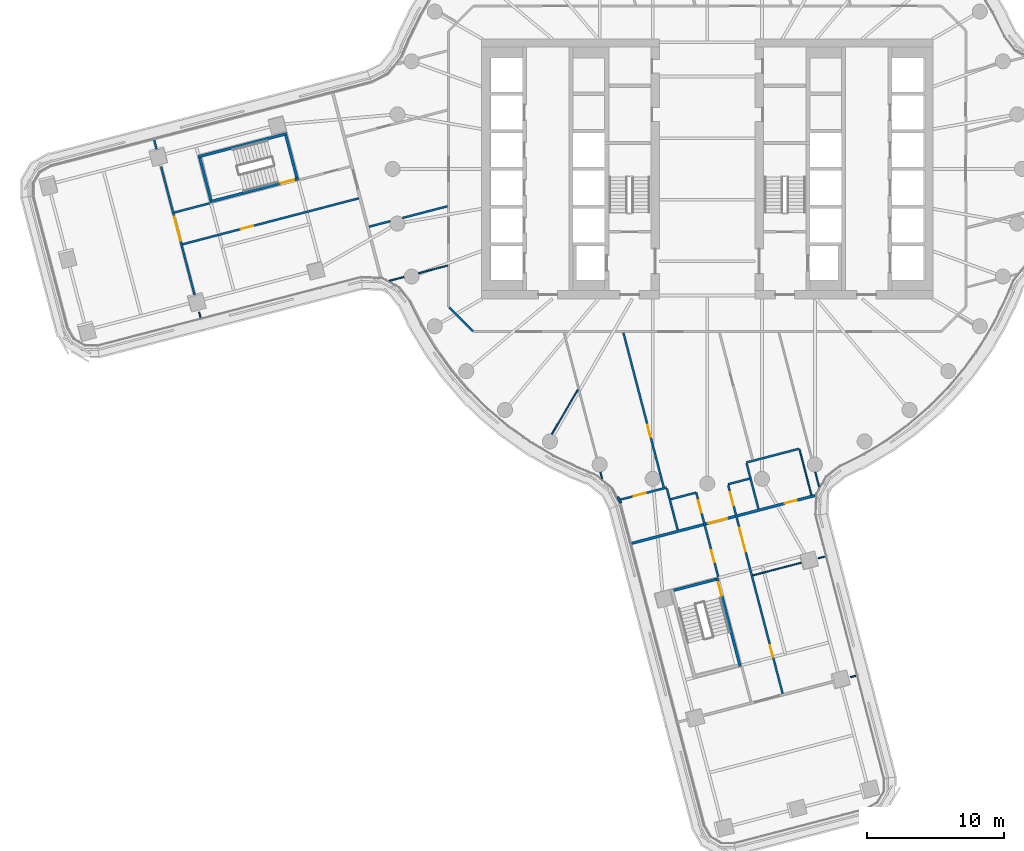
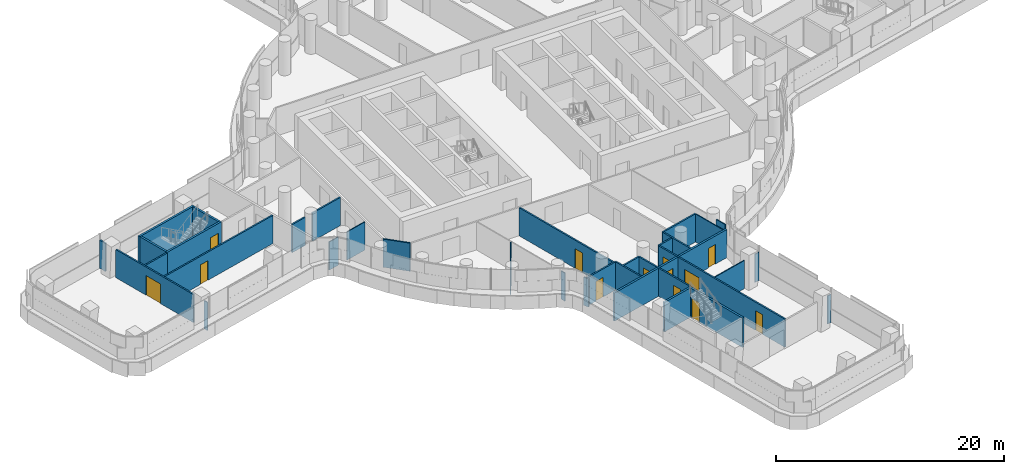
# One storey, part 18 of 30: 34 walls, 13 doors, 13 openings.
"""IFC4 building model written with IfcOpenShell, lengths in metres."""

import ifcopenshell
import ifcopenshell.guid

model = None  # the IFC model being written
_history = None  # IfcOwnerHistory: only IFC2X3 demands one
_inside = {}  # id of a spatial element -> (the spatial element, [elements in it])
_under = {}  # id of a project, library or spatial element -> (it, [spatial elements below it])
_declared = {}  # id of a project -> (the project, [libraries it declares])
_typed = {}  # id of a type object -> (the type object, [elements of that type])
_made_of = {}  # id of a material, layer set ... -> (it, [elements and type objects made of it])


def new_model(schema):
    """Start an empty IFC model of exactly this schema.

    Asked for "IFC4X3", IfcOpenShell would pick the latest addendum, in which some entities
    have other attributes; the version numbers below select the first issue.
    IFC2X3 requires an IfcOwnerHistory on every rooted entity: one is made here for all.
    """
    global model, _history
    if schema == "IFC4X3":
        model = ifcopenshell.file(schema_version=(4, 3, 0, 0))
    else:
        model = ifcopenshell.file(schema=schema)
    _inside.clear()
    _under.clear()
    _declared.clear()
    _typed.clear()
    _made_of.clear()
    _history = None
    if model.schema == "IFC2X3":
        org = make("IfcOrganization", Name="unknown")
        user = make(
            "IfcPersonAndOrganization",
            ThePerson=make("IfcPerson", FamilyName="unknown"),
            TheOrganization=org,
        )
        app = make(
            "IfcApplication",
            ApplicationDeveloper=org,
            Version="unknown",
            ApplicationFullName="unknown",
            ApplicationIdentifier="unknown",
        )
        _history = make(
            "IfcOwnerHistory",
            OwningUser=user,
            OwningApplication=app,
            ChangeAction="ADDED",
            CreationDate=0,
        )
    return model


def make(cls, **values):
    """One entity of the class cls with the attributes given. An attribute that is None is left unset."""
    return model.create_entity(
        cls, **{name: value for name, value in values.items() if value is not None}
    )


def rooted(cls, **values):
    """An entity with a GlobalId (a new one), such as an element, a storey or a relation."""
    return make(cls, GlobalId=ifcopenshell.guid.new(), OwnerHistory=_history, **values)


def si_unit(unit_type, name, prefix=None):
    """IfcSIUnit, for example si_unit("LENGTHUNIT", "METRE", prefix="MILLI")."""
    return make("IfcSIUnit", UnitType=unit_type, Prefix=prefix, Name=name)


def assignment(units):
    """IfcUnitAssignment: the units of a project."""
    return None if units is None else make("IfcUnitAssignment", Units=units)


def point(xyz):
    """IfcCartesianPoint."""
    return None if xyz is None else make("IfcCartesianPoint", Coordinates=xyz)


def direction(xyz):
    """IfcDirection."""
    return None if xyz is None else make("IfcDirection", DirectionRatios=xyz)


def frame(location, z_axis=None, x_axis=None):
    """IfcAxis2Placement3D, a coordinate frame: its origin and axes. An axis left out is left unset."""
    return make(
        "IfcAxis2Placement3D",
        Location=point(location),
        Axis=direction(z_axis),
        RefDirection=direction(x_axis),
    )


def frame_2d(location, x_axis=None):
    """IfcAxis2Placement2D, a coordinate frame in the plane: its origin and x axis."""
    return make(
        "IfcAxis2Placement2D", Location=point(location), RefDirection=direction(x_axis)
    )


def origin():
    """The frame at (0, 0, 0) with its axes left unset."""
    return frame((0.0, 0.0, 0.0))


def place(relative_to, where):
    """IfcLocalPlacement: puts the frame where relative to a parent placement (None: the world)."""
    return make(
        "IfcLocalPlacement", PlacementRelTo=relative_to, RelativePlacement=where
    )


def context(
    kind, dimensions, precision=None, world=None, true_north=None, identifier=None
):
    """IfcGeometricRepresentationContext, for example the 3D "Model" context."""
    return make(
        "IfcGeometricRepresentationContext",
        ContextIdentifier=identifier,
        ContextType=kind,
        CoordinateSpaceDimension=dimensions,
        Precision=precision,
        WorldCoordinateSystem=world,
        TrueNorth=true_north,
    )


def subcontext(parent, identifier, kind, view, scale=None):
    """IfcGeometricRepresentationSubContext, for example "Body" below "Model"."""
    return make(
        "IfcGeometricRepresentationSubContext",
        ContextIdentifier=identifier,
        ContextType=kind,
        ParentContext=parent,
        TargetScale=scale,
        TargetView=view,
    )


def project(units=None, contexts=None):
    """IfcProject with its units and contexts."""
    return rooted(
        "IfcProject",
        Name="project",
        RepresentationContexts=contexts,
        UnitsInContext=assignment(units),
    )


def spatial(cls, under=None, at=None, **own):
    """A site, building, storey or space (cls), placed at a placement, below another one or the project."""
    s = rooted(cls, ObjectPlacement=at, **own)
    if under is not None:
        _under.setdefault(under.id(), (under, []))[1].append(s)
    return s


def polyline(points):
    """IfcPolyline through the points."""
    return make("IfcPolyline", Points=[point(p) for p in points])


def profile(cls, at=None, kind="AREA", **sizes):
    """A parametric profile (cls). Its sizes go by their IFC names, for example OverallWidth=200.0."""
    return make(cls, ProfileType=kind, Position=at, **sizes)


def rectangle(**sizes):
    """IfcRectangleProfileDef."""
    return profile("IfcRectangleProfileDef", **sizes)


def outline(outer, holes=None, kind="AREA"):
    """IfcArbitraryClosedProfileDef: a profile drawn as a closed curve; with holes, ...WithVoids."""
    if holes is None:
        return make("IfcArbitraryClosedProfileDef", ProfileType=kind, OuterCurve=outer)
    return make(
        "IfcArbitraryProfileDefWithVoids",
        ProfileType=kind,
        OuterCurve=outer,
        InnerCurves=holes,
    )


def extrude(swept, where, along, depth):
    """IfcExtrudedAreaSolid: the profile swept, set in the frame where, extruded along a direction by depth."""
    return make(
        "IfcExtrudedAreaSolid",
        SweptArea=swept,
        Position=where,
        ExtrudedDirection=direction(along),
        Depth=depth,
    )


def shape(context_of_items, identifier, shape_type, items):
    """IfcShapeRepresentation: the items that make up one representation, for example the "Body"."""
    return make(
        "IfcShapeRepresentation",
        ContextOfItems=context_of_items,
        RepresentationIdentifier=identifier,
        RepresentationType=shape_type,
        Items=items,
    )


def material(Name=None, Category=None):
    """IfcMaterial."""
    return make("IfcMaterial", Name=Name, Category=Category)


def layer(
    of_material, thickness, ventilated=None, Name=None, Category=None, Priority=None
):
    """IfcMaterialLayer: one layer of a wall or slab, of a material (None: an air gap)."""
    return make(
        "IfcMaterialLayer",
        Material=of_material,
        LayerThickness=thickness,
        IsVentilated=ventilated,
        Name=Name,
        Category=Category,
        Priority=Priority,
    )


def layer_set(layers, Name=None):
    """IfcMaterialLayerSet."""
    return make("IfcMaterialLayerSet", MaterialLayers=layers, LayerSetName=Name)


def made_of(thing, what):
    """Note that an element or type object is made of a material, layer set ...; save() writes the relation."""
    if what is not None:
        _made_of.setdefault(what.id(), (what, []))[1].append(thing)
    return thing


def type_object(cls, material=None, **own):
    """A type object (cls), such as IfcWallType, which elements share."""
    return made_of(rooted(cls, **own), material)


def element(
    cls,
    number,
    at=None,
    inside=None,
    cuts=None,
    type_object=None,
    material=None,
    context=None,
    identifier="Body",
    shape_type=None,
    held_by="IfcProductDefinitionShape",
    body=None,
    shapes=None,
    **own,
):
    """One element of the class cls, such as IfcWall. Its Tag is "e" and its number.

    at: its placement. inside: the storey or other place that contains it. cuts: it is an
    opening in that element (IfcRelVoidsElement). A single representation is given by context,
    identifier, shape_type and body (its items); several are given by shapes. held_by: the class
    of the entity that holds the representations. save() writes the other relations.
    """
    e = rooted(cls, Tag="e%d" % number, ObjectPlacement=at, **own)
    if body is not None:
        shapes = [shape(context, identifier, shape_type, body)]
    if shapes is not None:
        e.Representation = make(held_by, Representations=shapes)
    if inside is not None:
        _inside.setdefault(inside.id(), (inside, []))[1].append(e)
    if cuts is not None:
        rooted(
            "IfcRelVoidsElement", RelatingBuildingElement=cuts, RelatedOpeningElement=e
        )
    if type_object is not None:
        _typed.setdefault(type_object.id(), (type_object, []))[1].append(e)
    return made_of(e, material)


def fill(opening, filler):
    """IfcRelFillsElement: the door or window that sits in an opening."""
    return rooted(
        "IfcRelFillsElement",
        RelatingOpeningElement=opening,
        RelatedBuildingElement=filler,
    )


def aggregate(whole, parts):
    """IfcRelAggregates: a whole, such as a stair, and the parts it consists of."""
    return rooted("IfcRelAggregates", RelatingObject=whole, RelatedObjects=parts)


def save(model, path):
    """Write the relations noted so far, then the file.

    IfcRelAggregates (storeys below a building ...), IfcRelContainedInSpatialStructure (elements
    in a storey), IfcRelDefinesByType, IfcRelAssociatesMaterial and IfcRelDeclares: one each for
    every whole, place, type object, material and project.
    """
    for whole, parts in _under.values():
        aggregate(whole, parts)
    for where, things in _inside.values():
        rooted(
            "IfcRelContainedInSpatialStructure",
            RelatedElements=things,
            RelatingStructure=where,
        )
    for kind, things in _typed.values():
        rooted("IfcRelDefinesByType", RelatedObjects=things, RelatingType=kind)
    for what, things in _made_of.values():
        rooted("IfcRelAssociatesMaterial", RelatedObjects=things, RelatingMaterial=what)
    for by, libraries in _declared.values():
        rooted("IfcRelDeclares", RelatingContext=by, RelatedDefinitions=libraries)
    model.write(path)


model = new_model("IFC4")

# Units and contexts
model_context = context("Model", 3, precision=1e-05, world=origin(), true_north=direction((0.0, 1.0)))
body_context = subcontext(model_context, "Body", "Model", "MODEL_VIEW")
ifc_project = project(units=[si_unit("LENGTHUNIT", "METRE"), si_unit("AREAUNIT", "SQUARE_METRE"), si_unit("VOLUMEUNIT", "CUBIC_METRE"), si_unit("PLANEANGLEUNIT", "RADIAN"), si_unit("MASSUNIT", "GRAM", prefix="KILO")], contexts=[model_context])

# Site, building, storey
site_placement = place(None, origin())
site = spatial("IfcSite", under=ifc_project, at=site_placement, CompositionType="ELEMENT")
building_placement = place(site_placement, origin())
building = spatial("IfcBuilding", under=site, at=building_placement, Name="Tamarind Cross Interchange Tower", CompositionType="ELEMENT")
storey_placement = place(building_placement, frame((0.0, 0.0, 87.25)))
storey = spatial("IfcBuildingStorey", under=building, at=storey_placement, Name="L20", CompositionType="ELEMENT", Elevation=87.25)

# Walls
ifc_material_1 = material(Name="Gypsum board partition on steel studs", Category="steel")
ifc_layer_1 = layer(ifc_material_1, 0.10009765625)
ifc_layer_set_1 = layer_set([ifc_layer_1], Name="Gypsum board partition on steel studs")
wall_type_1 = type_object("IfcWallType", Name="Partition 100 mm EI 90", PredefinedType="PARTITIONING", material=ifc_layer_set_1)
wall_1_placement = place(storey_placement, frame((-37.147216796875, -10.46923828125, 0.0), z_axis=(0.0, 0.0, 1.0), x_axis=(0.25232360321, -0.967642908961, 0.0)))
element("IfcWall", 1, at=wall_1_placement, inside=storey, type_object=wall_type_1, Name="Partition L20-003", PredefinedType="PARTITIONING", context=body_context, shape_type="SweptSolid", body=[
    extrude(rectangle(XDim=0.404541015625, YDim=0.10009765625, at=frame_2d((0.2021484375, 0.0))), origin(), (0.0, 0.0, 1.0), 3.010009765625),
])
wall_2_placement = place(storey_placement, frame((-7.81201171875, -22.158447265625, 0.0), z_axis=(0.0, 0.0, 1.0), x_axis=(0.252461886074, -0.96760683962, 0.0)))
element("IfcWall", 2, at=wall_2_placement, inside=storey, type_object=wall_type_1, Name="Partition L20-006", PredefinedType="PARTITIONING", context=body_context, shape_type="SweptSolid", body=[
    extrude(rectangle(XDim=0.4970703125, YDim=0.10009765625, at=frame_2d((0.24853515625, 0.0))), origin(), (0.0, 0.0, 1.0), 3.010009765625),
])
wall_3_placement = place(storey_placement, frame((7.897216796875, -22.164794921875, 0.0), z_axis=(0.0, 0.0, 1.0), x_axis=(0.25264882797, -0.967558044628, 0.0)))
element("IfcWall", 3, at=wall_3_placement, inside=storey, type_object=wall_type_1, Name="Partition L20-023", PredefinedType="PARTITIONING", context=body_context, shape_type="SweptSolid", body=[
    extrude(rectangle(XDim=1.0947265625, YDim=0.10009765625, at=frame_2d((0.54736328125, 0.0))), origin(), (0.0, 0.0, 1.0), 3.010009765625),
])
wall_4_placement = place(storey_placement, frame((6.74462890625, -20.518798828125, 0.0), z_axis=(0.0, 0.0, 1.0), x_axis=(0.252505936533, -0.967595345181, 0.0)))
element("IfcWall", 4, at=wall_4_placement, inside=storey, type_object=wall_type_1, Name="Partition L20-024", PredefinedType="PARTITIONING", context=body_context, shape_type="SweptSolid", body=[
    extrude(rectangle(XDim=3.429443359375, YDim=0.10009765625, at=frame_2d((1.71484375, 0.0))), origin(), (0.0, 0.0, 1.0), 3.010009765625),
])
wall_5_placement = place(storey_placement, frame((-23.22412109375, -8.173828125, 0.0), z_axis=(0.0, 0.0, 1.0), x_axis=(0.967626742391, 0.252385592716, 0.0)))
element("IfcWall", 5, at=wall_5_placement, inside=storey, type_object=wall_type_1, Name="Partition L20-043", PredefinedType="PARTITIONING", context=body_context, shape_type="SweptSolid", body=[
    extrude(rectangle(XDim=1.094970703125, YDim=0.10009765625, at=frame_2d((0.54736328125, 0.0))), origin(), (0.0, 0.0, 1.0), 3.010009765625),
])
wall_6_placement = place(storey_placement, frame((-21.117919921875, -7.62451171875, 0.0), z_axis=(0.0, 0.0, 1.0), x_axis=(0.967630105584, 0.252372698141, 0.0)))
element("IfcWall", 6, at=wall_6_placement, inside=storey, type_object=wall_type_1, Name="Partition L20-044", PredefinedType="PARTITIONING", context=body_context, shape_type="SweptSolid", body=[
    extrude(rectangle(XDim=2.22216796875, YDim=0.10009765625, at=frame_2d((1.111083984375, 0.0))), origin(), (0.0, 0.0, 1.0), 3.010009765625),
])
wall_7_placement = place(storey_placement, frame((10.46923828125, -37.147216796875, 0.0), z_axis=(0.0, 0.0, 1.0), x_axis=(0.967642908961, 0.25232360321, 0.0)))
element("IfcWall", 7, at=wall_7_placement, inside=storey, type_object=wall_type_1, Name="Partition L20-063", PredefinedType="PARTITIONING", context=body_context, shape_type="SweptSolid", body=[
    extrude(rectangle(XDim=0.404541015625, YDim=0.10009765625, at=frame_2d((0.2021484375, 0.0))), origin(), (0.0, 0.0, 1.0), 3.010009765625),
])
wall_8_placement = place(storey_placement, frame((3.33447265625, -29.707763671875, 0.0), z_axis=(0.0, 0.0, 1.0), x_axis=(0.967603769399, 0.25247365297, 0.0)))
element("IfcWall", 8, at=wall_8_placement, inside=storey, type_object=wall_type_1, Name="Partition L20-065", PredefinedType="PARTITIONING", context=body_context, shape_type="SweptSolid", body=[
    extrude(rectangle(XDim=3.6484375, YDim=0.10009765625, at=frame_2d((1.82421875, 0.0))), origin(), (0.0, 0.0, 1.0), 3.010009765625),
])
wall_9_placement = place(storey_placement, frame((8.1171875, -28.4599609375, 0.0), z_axis=(0.0, 0.0, 1.0), x_axis=(0.967612066757, 0.252441851256, 0.0)))
element("IfcWall", 9, at=wall_9_placement, inside=storey, type_object=wall_type_1, Name="Partition L20-066", PredefinedType="PARTITIONING", context=body_context, shape_type="SweptSolid", body=[
    extrude(rectangle(XDim=0.498046875, YDim=0.10009765625, at=frame_2d((0.2490234375, 0.0))), origin(), (0.0, 0.0, 1.0), 3.010009765625),
])
wall_10_placement = place(storey_placement, frame((-11.366455078125, -19.394287109375, 0.0), z_axis=(0.0, 0.0, 1.0), x_axis=(0.505643154542, 0.862742719624, 0.0)))
element("IfcWall", 10, at=wall_10_placement, inside=storey, type_object=wall_type_1, Name="Partition L20-079", PredefinedType="PARTITIONING", context=body_context, shape_type="SweptSolid", body=[
    extrude(rectangle(XDim=3.775146484375, YDim=0.10009765625, at=frame_2d((1.8876953125, 0.0))), origin(), (0.0, 0.0, 1.0), 3.010009765625),
])
ifc_layer_2 = layer(ifc_material_1, 0.14990234375)
ifc_layer_set_2 = layer_set([ifc_layer_2], Name="Gypsum board partition on steel studs")
wall_type_2 = type_object("IfcWallType", Name="Partition 150 mm EI 120", PredefinedType="PARTITIONING", material=ifc_layer_set_2)
wall_11_placement = place(storey_placement, frame((-40.430908203125, 2.11328125, 0.0), z_axis=(0.0, 0.0, 1.0), x_axis=(0.25247790687, -0.967602659433, 0.0)))
element("IfcWall", 11, at=wall_11_placement, inside=storey, type_object=wall_type_2, Name="Partition L20-001", PredefinedType="PARTITIONING", context=body_context, shape_type="SweptSolid", body=[
    extrude(rectangle(XDim=0.709716796875, YDim=0.14990234375, at=frame_2d((0.35498046875, 0.0))), origin(), (0.0, 0.0, 1.0), 3.010009765625),
])

# Wall, opening, door
wall_12_placement = place(storey_placement, frame((-39.9248046875, 0.174072265625, 0.0), z_axis=(0.0, 0.0, 1.0), x_axis=(0.252507913582, -0.967594829243, 0.0)))
wall_12 = element("IfcWall", 12, at=wall_12_placement, inside=storey, type_object=wall_type_2, Name="Partition L20-002", PredefinedType="PARTITIONING", context=body_context, shape_type="SweptSolid", body=[
    extrude(rectangle(XDim=9.705322265625, YDim=0.14990234375, at=frame_2d((4.8525390625, 0.0))), origin(), (0.0, 0.0, 1.0), 3.010009765625),
])
opening_1_placement = place(wall_12_placement, frame((3.79541015625, 0.0, 0.0)))
opening_1 = element("IfcOpeningElement", 13, at=opening_1_placement, cuts=wall_12, Name="Opening D01", PredefinedType="OPENING", context=body_context, shape_type="SweptSolid", body=[
    extrude(rectangle(XDim=1.800048828125, YDim=2.10009765625, at=frame_2d((0.89990234375, 1.050048828125))), frame((0.0, 0.0849609375, 0.0), z_axis=(0.0, -1.0, 0.0), x_axis=(1.0, 0.0, 0.0)), (0.0, 0.0, 1.0), 0.169921875),
])
ifc_material_2 = material(Name="Fire-resisting door set")
door_type_1 = type_object("IfcDoorType", Name="Interior door 1800 x 2100 FD60S", OperationType="DOUBLE_DOOR_SINGLE_SWING", PredefinedType="DOOR", material=ifc_material_2)
door_1_placement = place(opening_1_placement, origin())
door_1 = element("IfcDoor", 14, at=door_1_placement, inside=storey, type_object=door_type_1, Name="Door D01", OperationType="DOUBLE_DOOR_SINGLE_SWING", OverallHeight=2.10009765625, OverallWidth=1.800048828125, PredefinedType="DOOR", context=body_context, shape_type="SweptSolid", body=[
    extrude(rectangle(XDim=1.800048828125, YDim=2.10009765625, at=frame_2d((0.89990234375, 1.050048828125))), frame((0.0, 0.02490234375, 0.0), z_axis=(0.0, -1.0, 0.0), x_axis=(1.0, 0.0, 0.0)), (0.0, 0.0, 1.0), 0.050048828125),
])
fill(opening_1, door_1)

wall_13_placement = place(storey_placement, frame((-6.1298828125, -11.977294921875, 0.0), z_axis=(0.0, 0.0, 1.0), x_axis=(0.252503677733, -0.96759593464, 0.0)))
wall_13 = element("IfcWall", 15, at=wall_13_placement, inside=storey, type_object=wall_type_2, Name="Partition L20-010", PredefinedType="PARTITIONING", context=body_context, shape_type="SweptSolid", body=[
    extrude(rectangle(XDim=11.666259765625, YDim=0.14990234375, at=frame_2d((5.8330078125, 0.0))), origin(), (0.0, 0.0, 1.0), 3.010009765625),
])
opening_2_placement = place(wall_13_placement, frame((6.969970703125, 0.0, 0.0)))
opening_2 = element("IfcOpeningElement", 16, at=opening_2_placement, cuts=wall_13, Name="Opening D07", PredefinedType="OPENING", context=body_context, shape_type="SweptSolid", body=[
    extrude(rectangle(XDim=0.89990234375, YDim=2.10009765625, at=frame_2d((0.449951171875, 1.050048828125))), frame((0.0, 0.0849609375, 0.0), z_axis=(0.0, -1.0, 0.0), x_axis=(1.0, 0.0, 0.0)), (0.0, 0.0, 1.0), 0.169921875),
])
door_type_2 = type_object("IfcDoorType", Name="Interior door 900 x 2100 FD60S", OperationType="SINGLE_SWING_LEFT", PredefinedType="DOOR", material=ifc_material_2)
door_2_placement = place(opening_2_placement, frame((0.89990234375, 0.0, 0.0), z_axis=(0.0, 0.0, 1.0), x_axis=(-1.0, 0.0, 0.0)))
door_2 = element("IfcDoor", 17, at=door_2_placement, inside=storey, type_object=door_type_2, Name="Door D07", OperationType="SINGLE_SWING_RIGHT", OverallHeight=2.10009765625, OverallWidth=0.89990234375, PredefinedType="DOOR", context=body_context, shape_type="SweptSolid", body=[
    extrude(rectangle(XDim=0.89990234375, YDim=2.10009765625, at=frame_2d((0.449951171875, 1.050048828125))), frame((0.0, 0.02490234375, 0.0), z_axis=(0.0, -1.0, 0.0), x_axis=(1.0, 0.0, 0.0)), (0.0, 0.0, 1.0), 0.050048828125),
])
fill(opening_2, door_2)

# Wall
wall_14_placement = place(storey_placement, frame((-2.951171875, -23.364501953125, 0.0), z_axis=(0.0, 0.0, 1.0), x_axis=(0.25250458578, -0.967595697675, 0.0)))
element("IfcWall", 18, at=wall_14_placement, inside=storey, type_object=wall_type_2, Name="Partition L20-015", PredefinedType="PARTITIONING", context=body_context, shape_type="SweptSolid", body=[
    extrude(rectangle(XDim=3.125, YDim=0.14990234375, at=frame_2d((1.5625, 0.0))), origin(), (0.0, 0.0, 1.0), 3.010009765625),
])

# Wall, openings, doors
wall_15_placement = place(storey_placement, frame((-0.802978515625, -23.67724609375, 0.0), z_axis=(0.0, 0.0, 1.0), x_axis=(0.252923495417, -0.967486281797, 0.0)))
wall_15 = element("IfcWall", 19, at=wall_15_placement, inside=storey, type_object=wall_type_2, Name="Partition L20-016", PredefinedType="PARTITIONING", context=body_context, shape_type="SweptSolid", body=[
    extrude(rectangle(XDim=6.33984375, YDim=0.14990234375, at=frame_2d((3.169921875, 0.0))), origin(), (0.0, 0.0, 1.0), 3.010009765625),
])
opening_3_placement = place(wall_15_placement, frame((0.580078125, 0.0, 0.0)))
opening_3 = element("IfcOpeningElement", 20, at=opening_3_placement, cuts=wall_15, Name="Opening D11", PredefinedType="OPENING", context=body_context, shape_type="SweptSolid", body=[
    extrude(rectangle(XDim=0.89990234375, YDim=2.10009765625, at=frame_2d((0.449951171875, 1.050048828125))), frame((0.0, 0.0849609375, 0.0), z_axis=(0.0, -1.0, 0.0), x_axis=(1.0, 0.0, 0.0)), (0.0, 0.0, 1.0), 0.169921875),
])
opening_4_placement = place(wall_15_placement, frame((4.330078125, 0.0, 0.0)))
opening_4 = element("IfcOpeningElement", 21, at=opening_4_placement, cuts=wall_15, Name="Opening D12", PredefinedType="OPENING", context=body_context, shape_type="SweptSolid", body=[
    extrude(rectangle(XDim=0.89990234375, YDim=2.10009765625, at=frame_2d((0.449951171875, 1.050048828125))), frame((0.0, 0.0849609375, 0.0), z_axis=(0.0, -1.0, 0.0), x_axis=(1.0, 0.0, 0.0)), (0.0, 0.0, 1.0), 0.169921875),
])
door_3_placement = place(opening_3_placement, frame((0.89990234375, 0.0, 0.0), z_axis=(0.0, 0.0, 1.0), x_axis=(-1.0, 0.0, 0.0)))
door_3 = element("IfcDoor", 22, at=door_3_placement, inside=storey, type_object=door_type_2, Name="Door D11", OperationType="SINGLE_SWING_LEFT", OverallHeight=2.10009765625, OverallWidth=0.89990234375, PredefinedType="DOOR", context=body_context, shape_type="SweptSolid", body=[
    extrude(rectangle(XDim=0.89990234375, YDim=2.10009765625, at=frame_2d((0.449951171875, 1.050048828125))), frame((0.0, 0.02490234375, 0.0), z_axis=(0.0, -1.0, 0.0), x_axis=(1.0, 0.0, 0.0)), (0.0, 0.0, 1.0), 0.050048828125),
])
fill(opening_3, door_3)
door_4_placement = place(opening_4_placement, frame((0.89990234375, 0.0, 0.0), z_axis=(0.0, 0.0, 1.0), x_axis=(-1.0, 0.0, 0.0)))
door_4 = element("IfcDoor", 23, at=door_4_placement, inside=storey, type_object=door_type_2, Name="Door D12", OperationType="SINGLE_SWING_RIGHT", OverallHeight=2.10009765625, OverallWidth=0.89990234375, PredefinedType="DOOR", context=body_context, shape_type="SweptSolid", body=[
    extrude(rectangle(XDim=0.89990234375, YDim=2.10009765625, at=frame_2d((0.449951171875, 1.050048828125))), frame((0.0, 0.02490234375, 0.0), z_axis=(0.0, -1.0, 0.0), x_axis=(1.0, 0.0, 0.0)), (0.0, 0.0, 1.0), 0.050048828125),
])
fill(opening_4, door_4)

wall_16_placement = place(storey_placement, frame((1.533935546875, -23.12451171875, 0.0), z_axis=(0.0, 0.0, 1.0), x_axis=(0.252524125228, -0.967590598434, 0.0)))
wall_16 = element("IfcWall", 24, at=wall_16_placement, inside=storey, type_object=wall_type_2, Name="Partition L20-019", PredefinedType="PARTITIONING", context=body_context, shape_type="SweptSolid", body=[
    extrude(rectangle(XDim=15.749267578125, YDim=0.14990234375, at=frame_2d((7.87451171875, 0.0))), origin(), (0.0, 0.0, 1.0), 3.010009765625),
])
opening_5_placement = place(wall_16_placement, frame((0.52490234375, 0.0, 0.0)))
opening_5 = element("IfcOpeningElement", 25, at=opening_5_placement, cuts=wall_16, Name="Opening D14", PredefinedType="OPENING", context=body_context, shape_type="SweptSolid", body=[
    extrude(rectangle(XDim=1.0, YDim=2.10009765625, at=frame_2d((0.5, 1.050048828125))), frame((0.0, 0.0849609375, 0.0), z_axis=(0.0, -1.0, 0.0), x_axis=(1.0, 0.0, 0.0)), (0.0, 0.0, 1.0), 0.169921875),
])
opening_6_placement = place(wall_16_placement, frame((12.074462890625, 0.0, 0.0)))
opening_6 = element("IfcOpeningElement", 26, at=opening_6_placement, cuts=wall_16, Name="Opening D15", PredefinedType="OPENING", context=body_context, shape_type="SweptSolid", body=[
    extrude(rectangle(XDim=0.89990234375, YDim=2.10009765625, at=frame_2d((0.449951171875, 1.050048828125))), frame((0.0, 0.0849609375, 0.0), z_axis=(0.0, -1.0, 0.0), x_axis=(1.0, 0.0, 0.0)), (0.0, 0.0, 1.0), 0.169921875),
])
opening_7_placement = place(wall_16_placement, frame((3.224853515625, 0.0, 0.0)))
opening_7 = element("IfcOpeningElement", 27, at=opening_7_placement, cuts=wall_16, Name="Opening D16", PredefinedType="OPENING", context=body_context, shape_type="SweptSolid", body=[
    extrude(rectangle(XDim=1.800048828125, YDim=2.10009765625, at=frame_2d((0.89990234375, 1.050048828125))), frame((0.0, 0.0849609375, 0.0), z_axis=(0.0, -1.0, 0.0), x_axis=(1.0, 0.0, 0.0)), (0.0, 0.0, 1.0), 0.169921875),
])
door_type_3 = type_object("IfcDoorType", Name="Interior door 1000 x 2100 FD60S", OperationType="SINGLE_SWING_LEFT", PredefinedType="DOOR", material=ifc_material_2)
door_5_placement = place(opening_5_placement, origin())
door_5 = element("IfcDoor", 28, at=door_5_placement, inside=storey, type_object=door_type_3, Name="Door D14", OperationType="SINGLE_SWING_RIGHT", OverallHeight=2.10009765625, OverallWidth=1.0, PredefinedType="DOOR", context=body_context, shape_type="SweptSolid", body=[
    extrude(rectangle(XDim=1.0, YDim=2.10009765625, at=frame_2d((0.5, 1.050048828125))), frame((0.0, 0.02490234375, 0.0), z_axis=(0.0, -1.0, 0.0), x_axis=(1.0, 0.0, 0.0)), (0.0, 0.0, 1.0), 0.050048828125),
])
fill(opening_5, door_5)
door_6_placement = place(opening_7_placement, origin())
door_6 = element("IfcDoor", 29, at=door_6_placement, inside=storey, type_object=door_type_1, Name="Door D16", OperationType="DOUBLE_DOOR_SINGLE_SWING", OverallHeight=2.10009765625, OverallWidth=1.800048828125, PredefinedType="DOOR", context=body_context, shape_type="SweptSolid", body=[
    extrude(rectangle(XDim=1.800048828125, YDim=2.10009765625, at=frame_2d((0.89990234375, 1.050048828125))), frame((0.0, 0.02490234375, 0.0), z_axis=(0.0, -1.0, 0.0), x_axis=(1.0, 0.0, 0.0)), (0.0, 0.0, 1.0), 0.050048828125),
])
fill(opening_7, door_6)
door_7_placement = place(opening_6_placement, origin())
door_7 = element("IfcDoor", 30, at=door_7_placement, inside=storey, type_object=door_type_2, Name="Door D15", OperationType="SINGLE_SWING_LEFT", OverallHeight=2.10009765625, OverallWidth=0.89990234375, PredefinedType="DOOR", context=body_context, shape_type="SweptSolid", body=[
    extrude(rectangle(XDim=0.89990234375, YDim=2.10009765625, at=frame_2d((0.449951171875, 1.050048828125))), frame((0.0, 0.02490234375, 0.0), z_axis=(0.0, -1.0, 0.0), x_axis=(1.0, 0.0, 0.0)), (0.0, 0.0, 1.0), 0.050048828125),
])
fill(opening_6, door_7)

# Walls
wall_17_placement = place(storey_placement, frame((2.8759765625, -21.53369140625, 0.0), z_axis=(0.0, 0.0, 1.0), x_axis=(0.252532308986, -0.96758846258, 0.0)))
element("IfcWall", 31, at=wall_17_placement, inside=storey, type_object=wall_type_2, Name="Partition L20-021", PredefinedType="PARTITIONING", context=body_context, shape_type="SweptSolid", body=[
    extrude(rectangle(XDim=3.42041015625, YDim=0.14990234375, at=frame_2d((1.710205078125, 0.0))), origin(), (0.0, 0.0, 1.0), 3.010009765625),
])
wall_18_placement = place(storey_placement, frame((-18.87158203125, -10.12841796875, 0.0), z_axis=(0.0, 0.0, 1.0), x_axis=(0.707106781187, -0.707106781187, 0.0)))
element("IfcWall", 32, at=wall_18_placement, inside=storey, type_object=wall_type_2, Name="Partition L20-031", PredefinedType="PARTITIONING", context=body_context, shape_type="SweptSolid", body=[
    extrude(rectangle(XDim=2.465087890625, YDim=0.14990234375, at=frame_2d((1.232421875, 0.0))), origin(), (0.0, 0.0, 1.0), 3.010009765625),
])
wall_19_placement = place(storey_placement, frame((-38.969482421875, -3.189208984375, 0.0), z_axis=(0.0, 0.0, 1.0), x_axis=(0.967570906655, 0.252599565707, 0.0)))
element("IfcWall", 33, at=wall_19_placement, inside=storey, type_object=wall_type_2, Name="Partition L20-037", PredefinedType="PARTITIONING", context=body_context, shape_type="SweptSolid", body=[
    extrude(rectangle(XDim=2.68505859375, YDim=0.14990234375, at=frame_2d((1.342529296875, 0.0))), origin(), (0.0, 0.0, 1.0), 3.010009765625),
])

# Wall, opening, door
wall_20_placement = place(storey_placement, frame((-38.36328125, -5.510986328125, 0.0), z_axis=(0.0, 0.0, 1.0), x_axis=(0.967590415102, 0.252524827695, 0.0)))
wall_20 = element("IfcWall", 34, at=wall_20_placement, inside=storey, type_object=wall_type_2, Name="Partition L20-039", PredefinedType="PARTITIONING", context=body_context, shape_type="SweptSolid", body=[
    extrude(rectangle(XDim=13.324462890625, YDim=0.14990234375, at=frame_2d((6.662109375, 0.0))), origin(), (0.0, 0.0, 1.0), 3.010009765625),
])
opening_8_placement = place(wall_20_placement, frame((4.425048828125, 0.0, 0.0)))
opening_8 = element("IfcOpeningElement", 35, at=opening_8_placement, cuts=wall_20, Name="Opening D27", PredefinedType="OPENING", context=body_context, shape_type="SweptSolid", body=[
    extrude(rectangle(XDim=0.89990234375, YDim=2.10009765625, at=frame_2d((0.449951171875, 1.050048828125))), frame((0.0, 0.0849609375, 0.0), z_axis=(0.0, -1.0, 0.0), x_axis=(1.0, 0.0, 0.0)), (0.0, 0.0, 1.0), 0.169921875),
])
door_8_placement = place(opening_8_placement, frame((0.89990234375, 0.0, 0.0), z_axis=(0.0, 0.0, 1.0), x_axis=(-1.0, 0.0, 0.0)))
door_8 = element("IfcDoor", 36, at=door_8_placement, inside=storey, type_object=door_type_2, Name="Door D27", OperationType="SINGLE_SWING_LEFT", OverallHeight=2.10009765625, OverallWidth=0.89990234375, PredefinedType="DOOR", context=body_context, shape_type="SweptSolid", body=[
    extrude(rectangle(XDim=0.89990234375, YDim=2.10009765625, at=frame_2d((0.449951171875, 1.050048828125))), frame((0.0, 0.02490234375, 0.0), z_axis=(0.0, -1.0, 0.0), x_axis=(1.0, 0.0, 0.0)), (0.0, 0.0, 1.0), 0.050048828125),
])
fill(opening_8, door_8)

# Walls
wall_21_placement = place(storey_placement, frame((-24.72119140625, -4.223876953125, 0.0), z_axis=(0.0, 0.0, 1.0), x_axis=(0.967602777956, 0.25247745264, 0.0)))
element("IfcWall", 37, at=wall_21_placement, inside=storey, type_object=wall_type_2, Name="Partition L20-041", PredefinedType="PARTITIONING", context=body_context, shape_type="SweptSolid", body=[
    extrude(rectangle(XDim=1.610107421875, YDim=0.14990234375, at=frame_2d((0.80517578125, 0.0))), origin(), (0.0, 0.0, 1.0), 3.010009765625),
])
wall_22_placement = place(storey_placement, frame((-22.2900390625, -3.589599609375, 0.0), z_axis=(0.0, 0.0, 1.0), x_axis=(0.967595308008, 0.252506078978, 0.0)))
element("IfcWall", 38, at=wall_22_placement, inside=storey, type_object=wall_type_2, Name="Partition L20-042", PredefinedType="PARTITIONING", context=body_context, shape_type="SweptSolid", body=[
    extrude(rectangle(XDim=3.423583984375, YDim=0.14990234375, at=frame_2d((1.7119140625, 0.0))), origin(), (0.0, 0.0, 1.0), 3.010009765625),
])

# Wall, opening, door
wall_23_placement = place(storey_placement, frame((-6.345947265625, -24.17333984375, 0.0), z_axis=(0.0, 0.0, 1.0), x_axis=(0.967571186298, 0.252598494543, 0.0)))
wall_23 = element("IfcWall", 39, at=wall_23_placement, inside=storey, type_object=wall_type_2, Name="Partition L20-057", PredefinedType="PARTITIONING", context=body_context, shape_type="SweptSolid", body=[
    extrude(rectangle(XDim=3.489013671875, YDim=0.14990234375, at=frame_2d((1.74462890625, 0.0))), origin(), (0.0, 0.0, 1.0), 3.010009765625),
])
opening_9_placement = place(wall_23_placement, frame((0.99462890625, 0.0, 0.0)))
opening_9 = element("IfcOpeningElement", 40, at=opening_9_placement, cuts=wall_23, Name="Opening D32", PredefinedType="OPENING", context=body_context, shape_type="SweptSolid", body=[
    extrude(rectangle(XDim=0.89990234375, YDim=2.10009765625, at=frame_2d((0.449951171875, 1.050048828125))), frame((0.0, 0.0849609375, 0.0), z_axis=(0.0, -1.0, 0.0), x_axis=(1.0, 0.0, 0.0)), (0.0, 0.0, 1.0), 0.169921875),
])
door_9_placement = place(opening_9_placement, frame((0.89990234375, 0.0, 0.0), z_axis=(0.0, 0.0, 1.0), x_axis=(-1.0, 0.0, 0.0)))
door_9 = element("IfcDoor", 41, at=door_9_placement, inside=storey, type_object=door_type_2, Name="Door D32", OperationType="SINGLE_SWING_LEFT", OverallHeight=2.10009765625, OverallWidth=0.89990234375, PredefinedType="DOOR", context=body_context, shape_type="SweptSolid", body=[
    extrude(rectangle(XDim=0.89990234375, YDim=2.10009765625, at=frame_2d((0.449951171875, 1.050048828125))), frame((0.0, 0.02490234375, 0.0), z_axis=(0.0, -1.0, 0.0), x_axis=(1.0, 0.0, 0.0)), (0.0, 0.0, 1.0), 0.050048828125),
])
fill(opening_9, door_9)

# Walls
wall_24_placement = place(storey_placement, frame((-2.66552734375, -24.142822265625, 0.0), z_axis=(0.0, 0.0, 1.0), x_axis=(0.967576742774, 0.252577209667, 0.0)))
element("IfcWall", 42, at=wall_24_placement, inside=storey, type_object=wall_type_2, Name="Partition L20-059", PredefinedType="PARTITIONING", context=body_context, shape_type="SweptSolid", body=[
    extrude(rectangle(XDim=1.919677734375, YDim=0.14990234375, at=frame_2d((0.9599609375, 0.0))), origin(), (0.0, 0.0, 1.0), 3.010009765625),
])
wall_25_placement = place(storey_placement, frame((1.514892578125, -23.0517578125, 0.0), z_axis=(0.0, 0.0, 1.0), x_axis=(0.967590146801, 0.252525855732, 0.0)))
element("IfcWall", 43, at=wall_25_placement, inside=storey, type_object=wall_type_2, Name="Partition L20-060", PredefinedType="PARTITIONING", context=body_context, shape_type="SweptSolid", body=[
    extrude(rectangle(XDim=1.625244140625, YDim=0.14990234375, at=frame_2d((0.8125, 0.0))), origin(), (0.0, 0.0, 1.0), 3.010009765625),
])
wall_26_placement = place(storey_placement, frame((2.85693359375, -21.4609375, 0.0), z_axis=(0.0, 0.0, 1.0), x_axis=(0.967591987629, 0.252518802222, 0.0)))
element("IfcWall", 44, at=wall_26_placement, inside=storey, type_object=wall_type_2, Name="Partition L20-064", PredefinedType="PARTITIONING", context=body_context, shape_type="SweptSolid", body=[
    extrude(rectangle(XDim=3.999755859375, YDim=0.14990234375, at=frame_2d((2.0, 0.0))), origin(), (0.0, 0.0, 1.0), 3.010009765625),
])
wall_27_placement = place(storey_placement, frame((-6.541259765625, -23.9716796875, 0.0), z_axis=(0.0, 0.0, 1.0), x_axis=(0.452477409481, -0.891775865288, 0.0)))
element("IfcWall", 45, at=wall_27_placement, inside=storey, type_object=wall_type_2, Name="Partition L20-083", PredefinedType="PARTITIONING", context=body_context, shape_type="SweptSolid", body=[
    extrude(rectangle(XDim=0.500244140625, YDim=0.14990234375, at=frame_2d((0.25, 0.0))), origin(), (0.0, 0.0, 1.0), 3.010009765625),
])

# Wall, openings, doors
ifc_layer_3 = layer(ifc_material_1, 0.199951171875)
ifc_layer_set_3 = layer_set([ifc_layer_3], Name="Gypsum board partition on steel studs")
wall_type_3 = type_object("IfcWallType", Name="Partition 200 mm EI 180", PredefinedType="PARTITIONING", material=ifc_layer_set_3)
wall_28_placement = place(storey_placement, frame((-5.522216796875, -27.368896484375, 0.0), z_axis=(0.0, 0.0, 1.0), x_axis=(0.967585440056, 0.252543889634, 0.0)))
wall_28 = element("IfcWall", 46, at=wall_28_placement, inside=storey, type_object=wall_type_3, Name="Partition L20-058", PredefinedType="PARTITIONING", context=body_context, shape_type="SweptSolid", body=[
    extrude(rectangle(XDim=13.849365234375, YDim=0.199951171875, at=frame_2d((6.9248046875, 0.0))), origin(), (0.0, 0.0, 1.0), 3.010009765625),
])
opening_10_placement = place(wall_28_placement, frame((5.799560546875, 0.0, 0.0)))
opening_10 = element("IfcOpeningElement", 47, at=opening_10_placement, cuts=wall_28, Name="Opening D33", PredefinedType="OPENING", context=body_context, shape_type="SweptSolid", body=[
    extrude(rectangle(XDim=1.39990234375, YDim=2.10009765625, at=frame_2d((0.699951171875, 1.050048828125))), frame((0.0, 0.10986328125, 0.0), z_axis=(0.0, -1.0, 0.0), x_axis=(1.0, 0.0, 0.0)), (0.0, 0.0, 1.0), 0.219970703125),
])
opening_11_placement = place(wall_28_placement, frame((11.54931640625, 0.0, 0.0)))
opening_11 = element("IfcOpeningElement", 48, at=opening_11_placement, cuts=wall_28, Name="Opening D34", PredefinedType="OPENING", context=body_context, shape_type="SweptSolid", body=[
    extrude(rectangle(XDim=0.89990234375, YDim=2.10009765625, at=frame_2d((0.449951171875, 1.050048828125))), frame((0.0, 0.10986328125, 0.0), z_axis=(0.0, -1.0, 0.0), x_axis=(1.0, 0.0, 0.0)), (0.0, 0.0, 1.0), 0.219970703125),
])
door_type_4 = type_object("IfcDoorType", Name="Interior door 1400 x 2100 FD120S", OperationType="DOUBLE_DOOR_SINGLE_SWING", PredefinedType="DOOR", material=ifc_material_2)
door_10_placement = place(opening_10_placement, origin())
door_10 = element("IfcDoor", 49, at=door_10_placement, inside=storey, type_object=door_type_4, Name="Door D33", OperationType="DOUBLE_DOOR_SINGLE_SWING", OverallHeight=2.10009765625, OverallWidth=1.39990234375, PredefinedType="DOOR", context=body_context, shape_type="SweptSolid", body=[
    extrude(rectangle(XDim=1.39990234375, YDim=2.10009765625, at=frame_2d((0.699951171875, 1.050048828125))), frame((0.0, 0.02490234375, 0.0), z_axis=(0.0, -1.0, 0.0), x_axis=(1.0, 0.0, 0.0)), (0.0, 0.0, 1.0), 0.050048828125),
])
fill(opening_10, door_10)
door_type_5 = type_object("IfcDoorType", Name="Interior door 900 x 2100 FD120S", OperationType="SINGLE_SWING_LEFT", PredefinedType="DOOR", material=ifc_material_2)
door_11_placement = place(opening_11_placement, origin())
door_11 = element("IfcDoor", 50, at=door_11_placement, inside=storey, type_object=door_type_5, Name="Door D34", OperationType="SINGLE_SWING_LEFT", OverallHeight=2.10009765625, OverallWidth=0.89990234375, PredefinedType="DOOR", context=body_context, shape_type="SweptSolid", body=[
    extrude(rectangle(XDim=0.89990234375, YDim=2.10009765625, at=frame_2d((0.449951171875, 1.050048828125))), frame((0.0, 0.02490234375, 0.0), z_axis=(0.0, -1.0, 0.0), x_axis=(1.0, 0.0, 0.0)), (0.0, 0.0, 1.0), 0.050048828125),
])
fill(opening_11, door_11)

# Wall, opening, door
ifc_material_3 = material(Name="Concrete C40", Category="concrete")
ifc_layer_4 = layer(ifc_material_3, 0.199951171875)
ifc_layer_set_4 = layer_set([ifc_layer_4], Name="Concrete C40")
wall_type_4 = type_object("IfcWallType", Name="Stair shaft wall 200 mm Concrete C40", PredefinedType="SHEAR", material=ifc_layer_set_4)
wall_29_placement = place(storey_placement, frame((-29.87548828125, -0.7119140625, -0.139892578125), z_axis=(0.0, 0.0, 1.0), x_axis=(-0.967591728147, -0.252519796493, 0.0)))
wall_29 = element("IfcWall", 51, at=wall_29_placement, inside=storey, type_object=wall_type_4, Name="Core wall CWL-L20-ST5-H", PredefinedType="SHEAR", context=body_context, shape_type="SweptSolid", body=[
    extrude(rectangle(XDim=6.699951171875, YDim=0.199951171875, at=frame_2d((3.35009765625, 0.0))), origin(), (0.0, 0.0, 1.0), 3.14990234375),
])
opening_12_placement = place(wall_29_placement, frame((0.35009765625, 0.0, 0.0)))
opening_12 = element("IfcOpeningElement", 52, at=opening_12_placement, cuts=wall_29, Name="Opening ST5L20", PredefinedType="OPENING", context=body_context, shape_type="SweptSolid", body=[
    extrude(rectangle(XDim=1.0, YDim=2.10009765625, at=frame_2d((0.5, 1.050048828125))), frame((0.0, 0.10986328125, 0.0), z_axis=(0.0, -1.0, 0.0), x_axis=(1.0, 0.0, 0.0)), (0.0, 0.0, 1.0), 0.219970703125),
])
ifc_material_4 = material(Name="Steel, fire-resisting", Category="steel")
door_type_6 = type_object("IfcDoorType", Name="Core fire door 1000 x 2100 FD90", OperationType="SINGLE_SWING_LEFT", PredefinedType="DOOR", material=ifc_material_4)
door_12_placement = place(opening_12_placement, origin())
door_12 = element("IfcDoor", 53, at=door_12_placement, inside=storey, type_object=door_type_6, Name="L20 stair door ST5", OperationType="SINGLE_SWING_LEFT", OverallHeight=2.10009765625, OverallWidth=1.0, PredefinedType="DOOR", context=body_context, shape_type="SweptSolid", body=[
    extrude(rectangle(XDim=1.0, YDim=2.10009765625, at=frame_2d((0.5, 1.050048828125))), frame((0.0, 0.02490234375, 0.0), z_axis=(0.0, -1.0, 0.0), x_axis=(1.0, 0.0, 0.0)), (0.0, 0.0, 1.0), 0.050048828125),
])
fill(opening_12, door_12)

# Walls
wall_30_placement = place(storey_placement, frame((-30.734130859375, 2.577880859375, -0.139892578125), z_axis=(0.0, 0.0, 1.0), x_axis=(-0.967589404469, -0.25252870007, 0.0)))
element("IfcWall", 54, at=wall_30_placement, inside=storey, type_object=wall_type_4, Name="Core wall CWL-L20-ST5-C", PredefinedType="SHEAR", context=body_context, shape_type="SweptSolid", body=[
    extrude(rectangle(XDim=6.69970703125, YDim=0.199951171875, at=frame_2d((3.349853515625, 0.0))), origin(), (0.0, 0.0, 1.0), 3.14990234375),
])
wall_31_placement = place(storey_placement, frame((-30.8056640625, 2.455810546875, -0.139892578125), z_axis=(0.0, 0.0, 1.0), x_axis=(0.252539917828, -0.967586476706, 0.0)))
element("IfcWall", 55, at=wall_31_placement, inside=storey, type_object=wall_type_4, Name="Core wall CWL-L20-ST5-CE", PredefinedType="SHEAR", context=body_context, shape_type="SweptSolid", body=[
    extrude(rectangle(XDim=3.199951171875, YDim=0.199951171875, at=frame_2d((1.60009765625, 0.0))), origin(), (0.0, 0.0, 1.0), 3.14990234375),
])
wall_32_placement = place(storey_placement, frame((0.0, 0.0, -0.139892578125)))
element("IfcWall", 56, at=wall_32_placement, inside=storey, type_object=wall_type_4, Name="Core wall CWL-L20-ST5-CF", PredefinedType="SHEAR", context=body_context, shape_type="SweptSolid", body=[
    extrude(outline(polyline([(-36.998291015625, 0.83984375), (-37.191650390625, 0.789306640625), (-36.383544921875, -2.306884765625), (-36.190185546875, -2.256591796875), (-36.998291015625, 0.83984375)])), origin(), (0.0, 0.0, 1.0), 3.14990234375),
])

# Wall, opening, door
wall_33_placement = place(storey_placement, frame((0.7119140625, -29.87548828125, -0.139892578125), z_axis=(0.0, 0.0, 1.0), x_axis=(0.252519796493, -0.967591728147, 0.0)))
wall_33 = element("IfcWall", 57, at=wall_33_placement, inside=storey, type_object=wall_type_4, Name="Core wall CWL-L20-ST6-H", PredefinedType="SHEAR", context=body_context, shape_type="SweptSolid", body=[
    extrude(rectangle(XDim=6.699951171875, YDim=0.199951171875, at=frame_2d((3.35009765625, 0.0))), origin(), (0.0, 0.0, 1.0), 3.14990234375),
])
opening_13_placement = place(wall_33_placement, frame((0.35009765625, 0.0, 0.0)))
opening_13 = element("IfcOpeningElement", 58, at=opening_13_placement, cuts=wall_33, Name="Opening ST6L20", PredefinedType="OPENING", context=body_context, shape_type="SweptSolid", body=[
    extrude(rectangle(XDim=1.0, YDim=2.10009765625, at=frame_2d((0.5, 1.050048828125))), frame((0.0, 0.10986328125, 0.0), z_axis=(0.0, -1.0, 0.0), x_axis=(1.0, 0.0, 0.0)), (0.0, 0.0, 1.0), 0.219970703125),
])
door_13_placement = place(opening_13_placement, origin())
door_13 = element("IfcDoor", 59, at=door_13_placement, inside=storey, type_object=door_type_6, Name="L20 stair door ST6", OperationType="SINGLE_SWING_LEFT", OverallHeight=2.10009765625, OverallWidth=1.0, PredefinedType="DOOR", context=body_context, shape_type="SweptSolid", body=[
    extrude(rectangle(XDim=1.0, YDim=2.10009765625, at=frame_2d((0.5, 1.050048828125))), frame((0.0, 0.02490234375, 0.0), z_axis=(0.0, -1.0, 0.0), x_axis=(1.0, 0.0, 0.0)), (0.0, 0.0, 1.0), 0.050048828125),
])
fill(opening_13, door_13)

# Wall
wall_34_placement = place(storey_placement, frame((-2.455810546875, -30.8056640625, -0.139892578125), z_axis=(0.0, 0.0, 1.0), x_axis=(0.967586476706, 0.252539917828, 0.0)))
element("IfcWall", 60, at=wall_34_placement, inside=storey, type_object=wall_type_4, Name="Core wall CWL-L20-ST6-CE", PredefinedType="SHEAR", context=body_context, shape_type="SweptSolid", body=[
    extrude(rectangle(XDim=3.199951171875, YDim=0.199951171875, at=frame_2d((1.60009765625, 0.0))), origin(), (0.0, 0.0, 1.0), 3.14990234375),
])

save(model, "model.ifc")
